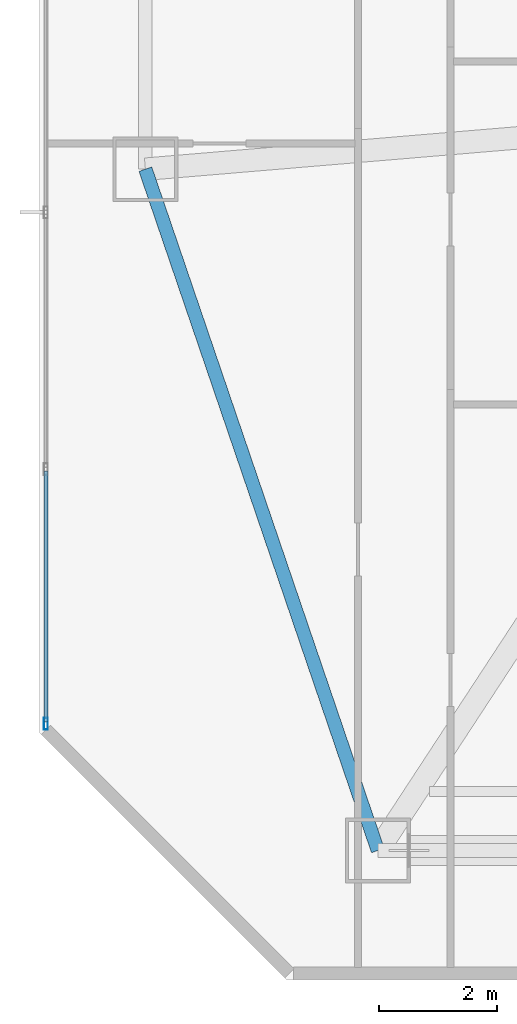
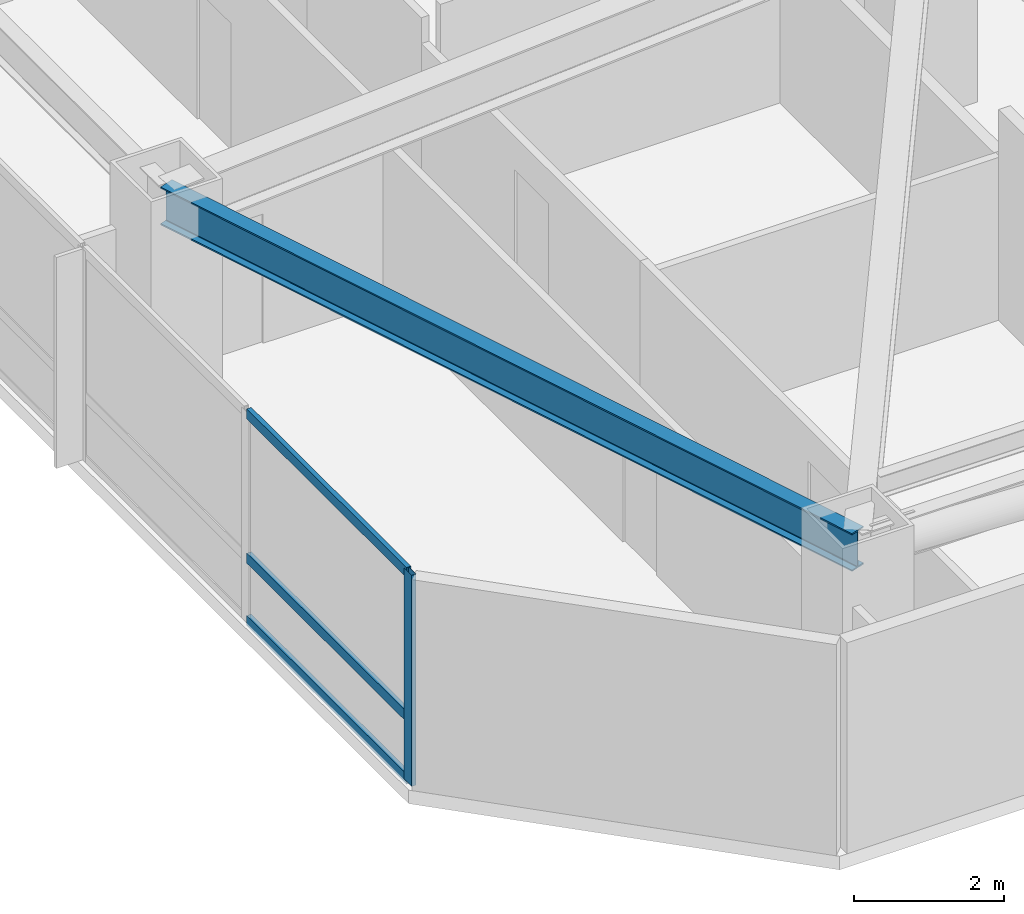
# One storey, part 2 of 18: 4 members, 1 beam, 1 element without a shape of its own.
"""IFC4 building model written with IfcOpenShell, lengths in metres."""

from ifc_helpers import new_model, si_unit, direction, frame, origin, origin_2d, place, context, subcontext, project, spatial, hollow_rectangle, i_section, extrude, material, material_profile, profile_set, type_object, element, aggregate, save


model = new_model("IFC4")

# Units and contexts
model_context = context("Model", 3, precision=1e-05, world=origin(), true_north=direction((0.0, 1.0)))
body_context = subcontext(model_context, "Body", "Model", "MODEL_VIEW")
ifc_project = project(units=[si_unit("LENGTHUNIT", "METRE"), si_unit("AREAUNIT", "SQUARE_METRE"), si_unit("VOLUMEUNIT", "CUBIC_METRE"), si_unit("PLANEANGLEUNIT", "RADIAN"), si_unit("MASSUNIT", "GRAM", prefix="KILO")], contexts=[model_context])

# Site, building, storey
site_placement = place(None, origin())
site = spatial("IfcSite", under=ifc_project, at=site_placement, CompositionType="ELEMENT")
building_placement = place(site_placement, origin())
building = spatial("IfcBuilding", under=site, at=building_placement, Name="Khamvora Tower", CompositionType="ELEMENT")
storey_placement = place(building_placement, frame((0.0, 0.0, 47.89990234375)))
storey = spatial("IfcBuildingStorey", under=building, at=storey_placement, Name="L11", CompositionType="ELEMENT", Elevation=47.89990234375)

# Beam
ifc_material_1 = material(Name="Steel S355", Category="steel")
ifc_material_profile_1 = material_profile(ifc_material_1, i_section(OverallWidth=0.22998046875, OverallDepth=0.616943359375, WebThickness=0.012939453125, FlangeThickness=0.02197265625, FilletRadius=0.013916015625, at=origin_2d()), Name="W610x140")
ifc_profile_set_1 = profile_set([ifc_material_profile_1], Name="Steel S355")
beam_type = type_object("IfcBeamType", Name="BM-SP-W610x140", PredefinedType="SPANDREL", material=ifc_profile_set_1)
beam_placement = place(storey_placement, frame((5.800048828125, 16.77490234375, 3.12109375), z_axis=(0.322962893199, -0.946411628002, 0.0), x_axis=(0.946411628002, 0.322962893199, 0.0)))
element("IfcBeam", 1, at=beam_placement, inside=storey, type_object=beam_type, Name="L11 perimeter spandrel beam W1-S1", PredefinedType="SPANDREL", context=body_context, shape_type="SweptSolid", body=[
    extrude(i_section(OverallWidth=0.22998046875, OverallDepth=0.616943359375, WebThickness=0.012939453125, FlangeThickness=0.02197265625, FilletRadius=0.013916015625, at=origin_2d()), origin(), (0.0, 0.0, 1.0), 12.23046875),
])

# Curtain wall, members
ifc_material_2 = material(Name="Anodised Aluminium 6063-T6", Category="aluminium")
curtain_wall_type = type_object("IfcCurtainWallType", Name="CW-SYS-02", PredefinedType="NOTDEFINED", material=ifc_material_2)
curtain_wall_placement = place(storey_placement, origin())
curtain_wall = element("IfcCurtainWall", 2, at=curtain_wall_placement, inside=storey, type_object=curtain_wall_type, Name="L11 stick curtain wall 02.1", PredefinedType="NOTDEFINED")
ifc_material_profile_2 = material_profile(ifc_material_2, hollow_rectangle(XDim=0.070068359375, YDim=0.199951171875, WallThickness=0.0048828125, at=origin_2d()), Name="MUL70x200x5")
ifc_profile_set_2 = profile_set([ifc_material_profile_2], Name="Anodised Aluminium 6063-T6")
member_type_1 = type_object("IfcMemberType", Name="CW-SYS-02-MUL", PredefinedType="MULLION", material=ifc_profile_set_2)
member_1_placement = place(storey_placement, frame((4.110107421875, 7.35205078125, 0.0), z_axis=(0.0, 0.0, 1.0), x_axis=(-1.0, 0.0, 0.0)))
member_1 = element("IfcMember", 3, at=member_1_placement, type_object=member_type_1, Name="CW-02 mullion 1", PredefinedType="MULLION", context=body_context, shape_type="SweptSolid", body=[
    extrude(hollow_rectangle(XDim=0.070068359375, YDim=0.199951171875, WallThickness=0.0048828125, at=origin_2d()), origin(), (0.0, 0.0, 1.0), 3.43017578125),
])
ifc_material_profile_3 = material_profile(ifc_material_2, hollow_rectangle(XDim=0.070068359375, YDim=0.1650390625, WallThickness=0.0048828125, at=origin_2d()), Name="TRN70x165x5")
ifc_profile_set_3 = profile_set([ifc_material_profile_3], Name="Anodised Aluminium 6063-T6")
member_type_2 = type_object("IfcMemberType", Name="CW-SYS-02-TRN", PredefinedType="USERDEFINED", material=ifc_profile_set_3)
member_2_placement = place(storey_placement, frame((4.110107421875, 7.386962890625, 0.03515625), z_axis=(0.0, 1.0, 0.0), x_axis=(-1.0, 0.0, 0.0)))
member_2 = element("IfcMember", 4, at=member_2_placement, type_object=member_type_2, Name="CW-02 transom 1.1", ObjectType="TRANSOM", PredefinedType="USERDEFINED", context=body_context, shape_type="SweptSolid", body=[
    extrude(hollow_rectangle(XDim=0.070068359375, YDim=0.1650390625, WallThickness=0.0048828125, at=origin_2d()), origin(), (0.0, 0.0, 1.0), 4.256591796875),
])
member_3_placement = place(storey_placement, frame((4.110107421875, 7.386962890625, 1.050048828125), z_axis=(0.0, 1.0, 0.0), x_axis=(-1.0, 0.0, 0.0)))
member_3 = element("IfcMember", 5, at=member_3_placement, type_object=member_type_2, Name="CW-02 transom 1.2", ObjectType="TRANSOM", PredefinedType="USERDEFINED", context=body_context, shape_type="SweptSolid", body=[
    extrude(hollow_rectangle(XDim=0.070068359375, YDim=0.1650390625, WallThickness=0.0048828125, at=origin_2d()), origin(), (0.0, 0.0, 1.0), 4.256591796875),
])
member_4_placement = place(storey_placement, frame((4.110107421875, 7.386962890625, 3.39501953125), z_axis=(0.0, 1.0, 0.0), x_axis=(-1.0, 0.0, 0.0)))
member_4 = element("IfcMember", 6, at=member_4_placement, type_object=member_type_2, Name="CW-02 transom 1.3", ObjectType="TRANSOM", PredefinedType="USERDEFINED", context=body_context, shape_type="SweptSolid", body=[
    extrude(hollow_rectangle(XDim=0.070068359375, YDim=0.1650390625, WallThickness=0.0048828125, at=origin_2d()), origin(), (0.0, 0.0, 1.0), 4.256591796875),
])
aggregate(curtain_wall, [member_1, member_2, member_3, member_4])

save(model, "model.ifc")
